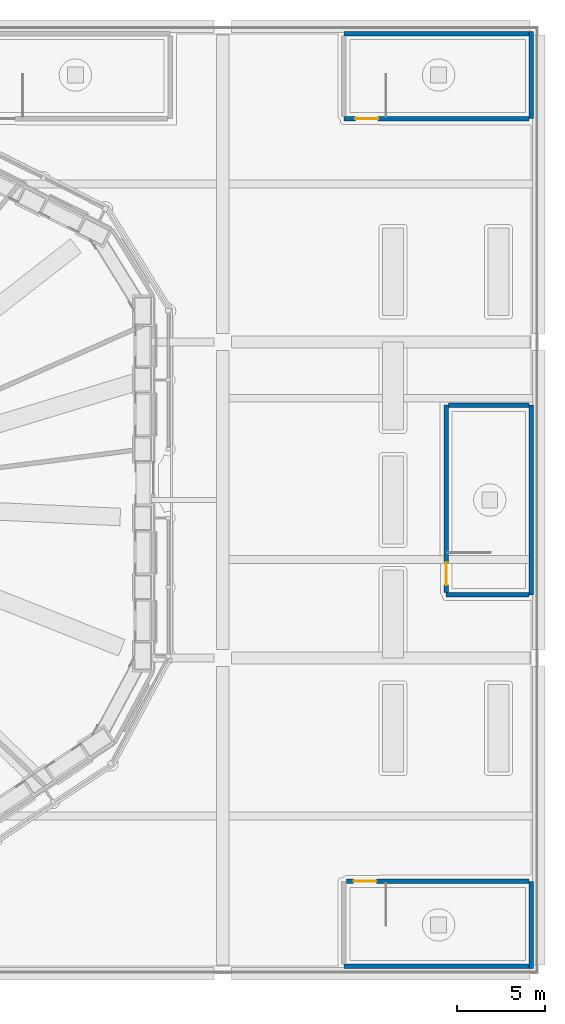
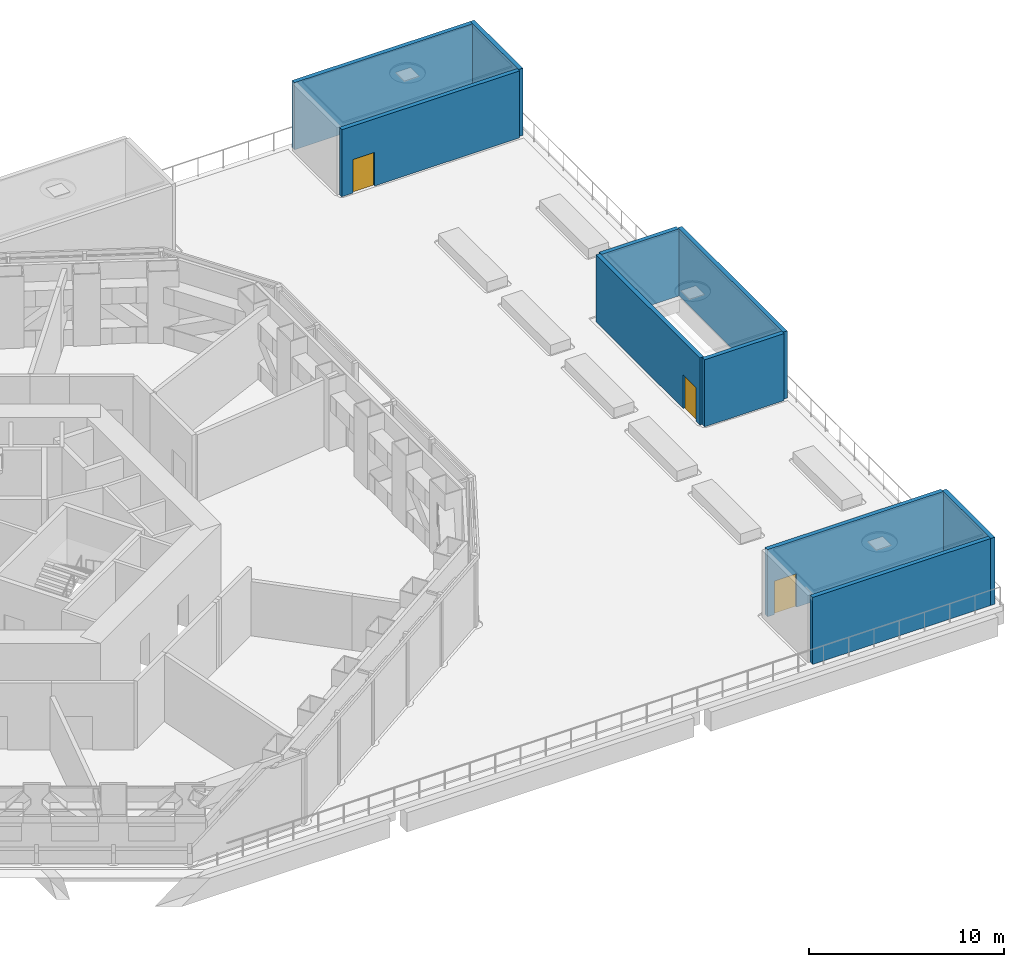
# One storey, part 10 of 20: 10 walls, 3 doors, 3 openings.
"""IFC4 building model written with IfcOpenShell, lengths in metres."""

from ifc_helpers import new_model, si_unit, direction, frame, frame_2d, origin, place, context, subcontext, project, spatial, rectangle, extrude, material, layer, layer_set, type_object, element, fill, save


model = new_model("IFC4")

# Units and contexts
model_context = context("Model", 3, precision=1e-05, world=origin(), true_north=direction((0.0, 1.0)))
body_context = subcontext(model_context, "Body", "Model", "MODEL_VIEW")
ifc_project = project(units=[si_unit("LENGTHUNIT", "METRE"), si_unit("AREAUNIT", "SQUARE_METRE"), si_unit("VOLUMEUNIT", "CUBIC_METRE"), si_unit("PLANEANGLEUNIT", "RADIAN"), si_unit("MASSUNIT", "GRAM", prefix="KILO")], contexts=[model_context])

# Site, building, storey
site_placement = place(None, origin())
site = spatial("IfcSite", under=ifc_project, at=site_placement, CompositionType="ELEMENT")
building_placement = place(site_placement, origin())
building = spatial("IfcBuilding", under=site, at=building_placement, Name="Vanh Sen Convention Tower", CompositionType="ELEMENT")
storey_placement = place(building_placement, frame((0.0, 0.0, 34.5)))
storey = spatial("IfcBuildingStorey", under=building, at=storey_placement, Name="L05", CompositionType="ELEMENT", Elevation=34.5)

# Wall, opening, door
ifc_material_1 = material(Name="Concrete C40/50", Category="concrete")
ifc_layer = layer(ifc_material_1, 0.25)
ifc_layer_set = layer_set([ifc_layer], Name="Concrete C40/50")
wall_type = type_object("IfcWallType", Name="Concrete wall 250 REI 180", PredefinedType="SOLIDWALL", material=ifc_layer_set)
wall_1_placement = place(storey_placement, frame((34.0400390625, -21.72509765625, 0.0), z_axis=(0.0, 0.0, 1.0), x_axis=(1.0, 0.0, 0.0)))
wall_1 = element("IfcWall", 1, at=wall_1_placement, inside=storey, type_object=wall_type, Name="Fire-resisting wall L05-004", PredefinedType="SOLIDWALL", context=body_context, shape_type="SweptSolid", body=[
    extrude(rectangle(XDim=10.39990234375, YDim=0.25, at=frame_2d((5.199951171875, 0.0))), origin(), (0.0, 0.0, 1.0), 4.199951171875),
])
opening_1_placement = place(wall_1_placement, frame((0.409912109375, 0.0, 0.0)))
opening_1 = element("IfcOpeningElement", 2, at=opening_1_placement, cuts=wall_1, Name="Opening D05102", PredefinedType="OPENING", context=body_context, shape_type="SweptSolid", body=[
    extrude(rectangle(XDim=1.300048828125, YDim=2.10009765625, at=frame_2d((0.64990234375, 1.050048828125))), frame((0.0, 0.135009765625, 0.0), z_axis=(0.0, -1.0, 0.0), x_axis=(1.0, 0.0, 0.0)), (0.0, 0.0, 1.0), 0.27001953125),
])
ifc_material_2 = material(Name="Steel S355", Category="steel")
door_type = type_object("IfcDoorType", Name="Stair door 1300 EI 60", OperationType="SINGLE_SWING_LEFT", PredefinedType="DOOR", material=ifc_material_2)
door_1_placement = place(opening_1_placement, origin())
door_1 = element("IfcDoor", 3, at=door_1_placement, inside=storey, type_object=door_type, Name="Stair door D05102", OperationType="SINGLE_SWING_LEFT", OverallHeight=2.10009765625, OverallWidth=1.300048828125, PredefinedType="DOOR", context=body_context, shape_type="SweptSolid", body=[
    extrude(rectangle(XDim=1.300048828125, YDim=2.10009765625, at=frame_2d((0.64990234375, 1.050048828125))), frame((0.0, 0.02490234375, 0.0), z_axis=(0.0, -1.0, 0.0), x_axis=(1.0, 0.0, 0.0)), (0.0, 0.0, 1.0), 0.050048828125),
])
fill(opening_1, door_1)

# Wall
wall_2_placement = place(storey_placement, frame((44.43994140625, -5.39990234375, 0.0), z_axis=(0.0, 0.0, 1.0), x_axis=(-1.0, 0.0, 0.0)))
element("IfcWall", 4, at=wall_2_placement, inside=storey, type_object=wall_type, Name="Fire-resisting wall L05-022", PredefinedType="SOLIDWALL", context=body_context, shape_type="SweptSolid", body=[
    extrude(rectangle(XDim=4.71484375, YDim=0.25, at=frame_2d((2.357421875, 0.0))), origin(), (0.0, 0.0, 1.0), 4.199951171875),
])

# Wall, opening, door
wall_3_placement = place(storey_placement, frame((39.72509765625, -5.260009765625, 0.0), z_axis=(0.0, 0.0, 1.0), x_axis=(0.0, 1.0, 0.0)))
wall_3 = element("IfcWall", 5, at=wall_3_placement, inside=storey, type_object=wall_type, Name="Fire-resisting wall L05-023", PredefinedType="SOLIDWALL", context=body_context, shape_type="SweptSolid", body=[
    extrude(rectangle(XDim=10.659912109375, YDim=0.25, at=frame_2d((5.330078125, 0.0))), origin(), (0.0, 0.0, 1.0), 4.199951171875),
])
opening_2_placement = place(wall_3_placement, frame((0.409912109375, 0.0, 0.0)))
opening_2 = element("IfcOpeningElement", 6, at=opening_2_placement, cuts=wall_3, Name="Opening D05108", PredefinedType="OPENING", context=body_context, shape_type="SweptSolid", body=[
    extrude(rectangle(XDim=1.300048828125, YDim=2.10009765625, at=frame_2d((0.64990234375, 1.050048828125))), frame((0.0, 0.135009765625, 0.0), z_axis=(0.0, -1.0, 0.0), x_axis=(1.0, 0.0, 0.0)), (0.0, 0.0, 1.0), 0.27001953125),
])
door_2_placement = place(opening_2_placement, origin())
door_2 = element("IfcDoor", 7, at=door_2_placement, inside=storey, type_object=door_type, Name="Stair door D05108", OperationType="SINGLE_SWING_LEFT", OverallHeight=2.10009765625, OverallWidth=1.300048828125, PredefinedType="DOOR", context=body_context, shape_type="SweptSolid", body=[
    extrude(rectangle(XDim=1.300048828125, YDim=2.10009765625, at=frame_2d((0.64990234375, 1.050048828125))), frame((0.0, 0.02490234375, 0.0), z_axis=(0.0, -1.0, 0.0), x_axis=(1.0, 0.0, 0.0)), (0.0, 0.0, 1.0), 0.050048828125),
])
fill(opening_2, door_2)

# Wall
wall_4_placement = place(storey_placement, frame((39.864990234375, 5.39990234375, 0.0), z_axis=(0.0, 0.0, 1.0), x_axis=(1.0, 0.0, 0.0)))
element("IfcWall", 8, at=wall_4_placement, inside=storey, type_object=wall_type, Name="Fire-resisting wall L05-031", PredefinedType="SOLIDWALL", context=body_context, shape_type="SweptSolid", body=[
    extrude(rectangle(XDim=4.574951171875, YDim=0.25, at=frame_2d((2.28759765625, 0.0))), origin(), (0.0, 0.0, 1.0), 4.199951171875),
])

# Wall, opening, door
wall_5_placement = place(storey_placement, frame((44.43994140625, 21.72509765625, 0.0), z_axis=(0.0, 0.0, 1.0), x_axis=(-1.0, 0.0, 0.0)))
wall_5 = element("IfcWall", 9, at=wall_5_placement, inside=storey, type_object=wall_type, Name="Fire-resisting wall L05-060", PredefinedType="SOLIDWALL", context=body_context, shape_type="SweptSolid", body=[
    extrude(rectangle(XDim=10.5400390625, YDim=0.25, at=frame_2d((5.27001953125, 0.0))), origin(), (0.0, 0.0, 1.0), 4.199951171875),
])
opening_3_placement = place(wall_5_placement, frame((8.590087890625, 0.0, 0.0)))
opening_3 = element("IfcOpeningElement", 10, at=opening_3_placement, cuts=wall_5, Name="Opening D05119", PredefinedType="OPENING", context=body_context, shape_type="SweptSolid", body=[
    extrude(rectangle(XDim=1.300048828125, YDim=2.10009765625, at=frame_2d((0.64990234375, 1.050048828125))), frame((0.0, 0.135009765625, 0.0), z_axis=(0.0, -1.0, 0.0), x_axis=(1.0, 0.0, 0.0)), (0.0, 0.0, 1.0), 0.27001953125),
])
door_3_placement = place(opening_3_placement, origin())
door_3 = element("IfcDoor", 11, at=door_3_placement, inside=storey, type_object=door_type, Name="Stair door D05119", OperationType="SINGLE_SWING_LEFT", OverallHeight=2.10009765625, OverallWidth=1.300048828125, PredefinedType="DOOR", context=body_context, shape_type="SweptSolid", body=[
    extrude(rectangle(XDim=1.300048828125, YDim=2.10009765625, at=frame_2d((0.64990234375, 1.050048828125))), frame((0.0, 0.02490234375, 0.0), z_axis=(0.0, -1.0, 0.0), x_axis=(1.0, 0.0, 0.0)), (0.0, 0.0, 1.0), 0.050048828125),
])
fill(opening_3, door_3)

# Walls
wall_6_placement = place(storey_placement, frame((44.574951171875, 21.72509765625, 0.0), z_axis=(0.0, 0.0, 1.0), x_axis=(0.0, 1.0, 0.0)))
element("IfcWall", 12, at=wall_6_placement, inside=storey, type_object=wall_type, Name="Stair enclosure wall PS1 L05", PredefinedType="SOLIDWALL", context=body_context, shape_type="SweptSolid", body=[
    extrude(rectangle(XDim=4.974853515625, YDim=0.25, at=frame_2d((2.4873046875, 0.0))), origin(), (0.0, 0.0, 1.0), 4.199951171875),
])
wall_7_placement = place(storey_placement, frame((44.449951171875, 26.574951171875, 0.0), z_axis=(0.0, 0.0, 1.0), x_axis=(-1.0, 0.0, 0.0)))
element("IfcWall", 13, at=wall_7_placement, inside=storey, type_object=wall_type, Name="Stair enclosure wall PS1 L05", PredefinedType="SOLIDWALL", context=body_context, shape_type="SweptSolid", body=[
    extrude(rectangle(XDim=10.550048828125, YDim=0.25, at=frame_2d((5.27490234375, 0.0))), origin(), (0.0, 0.0, 1.0), 4.199951171875),
])
wall_8_placement = place(storey_placement, frame((44.574951171875, -21.72509765625, 0.0), z_axis=(0.0, 0.0, 1.0), x_axis=(0.0, -1.0, 0.0)))
element("IfcWall", 14, at=wall_8_placement, inside=storey, type_object=wall_type, Name="Stair enclosure wall PS2 L05", PredefinedType="SOLIDWALL", context=body_context, shape_type="SweptSolid", body=[
    extrude(rectangle(XDim=4.974853515625, YDim=0.25, at=frame_2d((2.4873046875, 0.0))), origin(), (0.0, 0.0, 1.0), 4.199951171875),
])
wall_9_placement = place(storey_placement, frame((44.449951171875, -26.574951171875, 0.0), z_axis=(0.0, 0.0, 1.0), x_axis=(-1.0, 0.0, 0.0)))
element("IfcWall", 15, at=wall_9_placement, inside=storey, type_object=wall_type, Name="Stair enclosure wall PS2 L05", PredefinedType="SOLIDWALL", context=body_context, shape_type="SweptSolid", body=[
    extrude(rectangle(XDim=10.550048828125, YDim=0.25, at=frame_2d((5.27490234375, 0.0))), origin(), (0.0, 0.0, 1.0), 4.199951171875),
])
wall_10_placement = place(storey_placement, frame((44.574951171875, 5.39990234375, 0.0), z_axis=(0.0, 0.0, 1.0), x_axis=(0.0, -1.0, 0.0)))
element("IfcWall", 16, at=wall_10_placement, inside=storey, type_object=wall_type, Name="Stair enclosure wall PS3 L05", PredefinedType="SOLIDWALL", context=body_context, shape_type="SweptSolid", body=[
    extrude(rectangle(XDim=10.7998046875, YDim=0.25, at=frame_2d((5.39990234375, 0.0))), origin(), (0.0, 0.0, 1.0), 4.199951171875),
])

save(model, "model.ifc")
